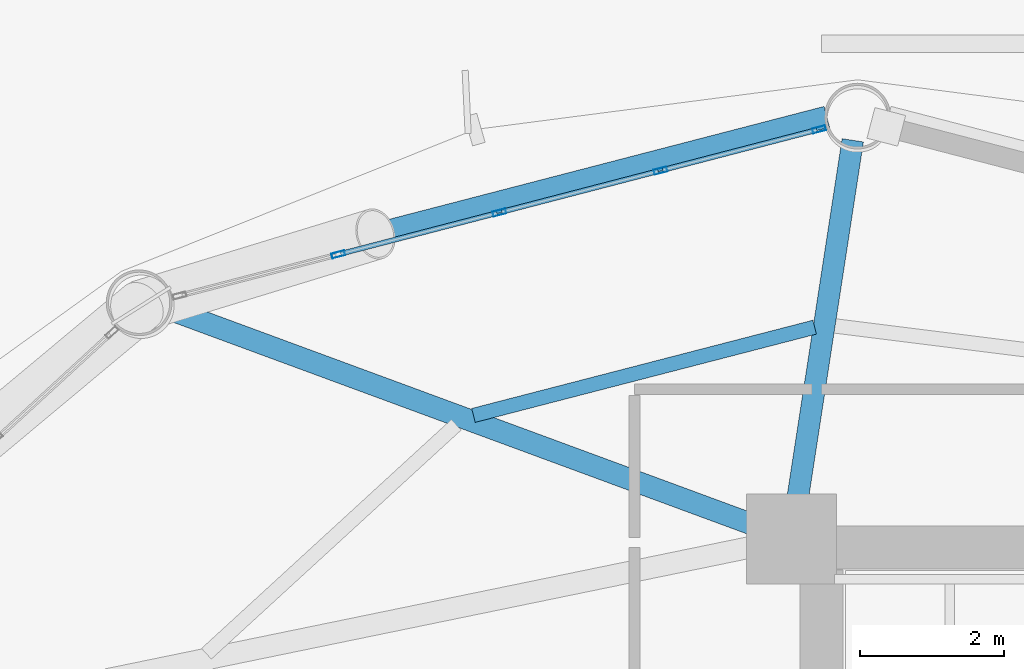
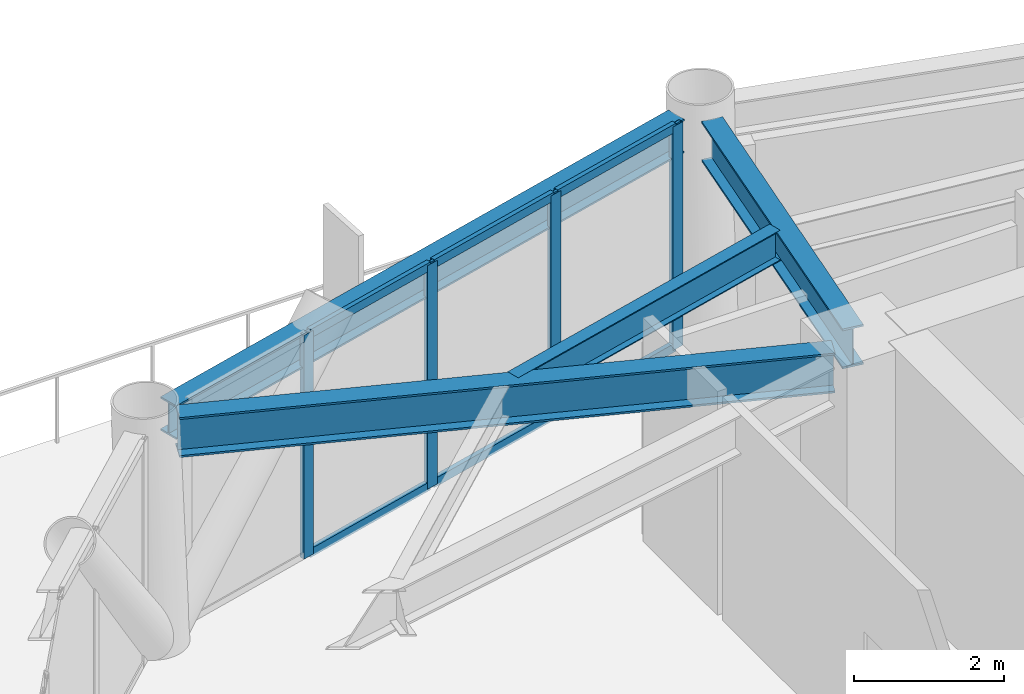
# One storey, part 16 of 24: 10 members, 4 beams, 1 element without a shape of its own.
"""IFC4 building model written with IfcOpenShell, lengths in metres."""

from ifc_helpers import new_model, si_unit, direction, frame, origin, origin_2d, place, context, subcontext, project, spatial, hollow_rectangle, i_section, extrude, material, layer, layer_set, material_profile, profile_set, type_object, element, aggregate, save


model = new_model("IFC4")

# Units and contexts
model_context = context("Model", 3, precision=1e-05, world=origin(), true_north=direction((0.0, 1.0)))
body_context = subcontext(model_context, "Body", "Model", "MODEL_VIEW")
ifc_project = project(units=[si_unit("LENGTHUNIT", "METRE"), si_unit("AREAUNIT", "SQUARE_METRE"), si_unit("VOLUMEUNIT", "CUBIC_METRE"), si_unit("PLANEANGLEUNIT", "RADIAN"), si_unit("MASSUNIT", "GRAM", prefix="KILO")], contexts=[model_context])

# Site, building, storey
site_placement = place(None, origin())
site = spatial("IfcSite", under=ifc_project, at=site_placement, CompositionType="ELEMENT")
building_placement = place(site_placement, origin())
building = spatial("IfcBuilding", under=site, at=building_placement, Name="Varnakorn Sky Granary", CompositionType="ELEMENT")
storey_placement = place(building_placement, frame((0.0, 0.0, 27.60009765625)))
storey = spatial("IfcBuildingStorey", under=building, at=storey_placement, Name="L06", CompositionType="ELEMENT", Elevation=27.60009765625)

# Beams
ifc_material_1 = material(Name="Steel S355JR", Category="steel")
ifc_material_profile_1 = material_profile(ifc_material_1, i_section(OverallWidth=0.300048828125, OverallDepth=0.64990234375, WebThickness=0.01611328125, FlangeThickness=0.031005859375, at=origin_2d()), Name="HE 650 B")
ifc_profile_set_1 = profile_set([ifc_material_profile_1], Name="Steel S355JR")
beam_type_1 = type_object("IfcBeamType", Name="BM-RAD-Z1", PredefinedType="BEAM", material=ifc_profile_set_1)
beam_1_placement = place(storey_placement, frame((-2.356201171875, 13.03515625, 3.31494140625), z_axis=(0.152152727627, 0.988356993943, 0.0), x_axis=(-0.988356993943, 0.152152727627, 0.0)))
element("IfcBeam", 1, at=beam_1_placement, inside=storey, type_object=beam_type_1, Name="Radial Floor Girder RG04 L06", PredefinedType="BEAM", context=body_context, shape_type="SweptSolid", body=[
    extrude(i_section(OverallWidth=0.300048828125, OverallDepth=0.64990234375, WebThickness=0.01611328125, FlangeThickness=0.031005859375, at=origin_2d()), origin(), (0.0, 0.0, 1.0), 5.184326171875),
])
beam_2_placement = place(storey_placement, frame((-2.814208984375, 12.765380859375, 3.31494140625), z_axis=(-0.938227938533, 0.3460178252, 0.0), x_axis=(-0.3460178252, -0.938227938533, 0.0)))
element("IfcBeam", 2, at=beam_2_placement, inside=storey, type_object=beam_type_1, Name="Radial Floor Girder RG05 L06", PredefinedType="BEAM", context=body_context, shape_type="SweptSolid", body=[
    extrude(i_section(OverallWidth=0.300048828125, OverallDepth=0.64990234375, WebThickness=0.01611328125, FlangeThickness=0.031005859375, at=origin_2d()), origin(), (0.0, 0.0, 1.0), 8.870361328125),
])
ifc_material_profile_2 = material_profile(ifc_material_1, i_section(OverallWidth=0.199951171875, OverallDepth=0.5, WebThickness=0.01025390625, FlangeThickness=0.01611328125, at=origin_2d()), Name="IPE 500")
ifc_profile_set_2 = profile_set([ifc_material_profile_2], Name="Steel S355JR")
beam_type_2 = type_object("IfcBeamType", Name="BM-SEC-Z1", PredefinedType="BEAM", material=ifc_profile_set_2)
beam_3_placement = place(storey_placement, frame((-2.09716796875, 15.56201171875, 3.389892578125), z_axis=(-0.968134412958, -0.250431145121, 0.0), x_axis=(0.250431145121, -0.968134412958, 0.0)))
element("IfcBeam", 3, at=beam_3_placement, inside=storey, type_object=beam_type_2, Name="Secondary Floor Chord Beam MSB04 L06", PredefinedType="BEAM", context=body_context, shape_type="SweptSolid", body=[
    extrude(i_section(OverallWidth=0.199951171875, OverallDepth=0.5, WebThickness=0.01025390625, FlangeThickness=0.01611328125, at=origin_2d()), origin(), (0.0, 0.0, 1.0), 4.898681640625),
])
ifc_material_profile_3 = material_profile(ifc_material_1, i_section(OverallWidth=0.300048828125, OverallDepth=0.550048828125, WebThickness=0.014892578125, FlangeThickness=0.029052734375, at=origin_2d()), Name="HE 550 B")
ifc_profile_set_3 = profile_set([ifc_material_profile_3], Name="Steel S355JR")
beam_type_3 = type_object("IfcBeamType", Name="BM-SPD-Z1", PredefinedType="SPANDREL", material=ifc_profile_set_3)
beam_4_placement = place(storey_placement, frame((-1.927734375, 18.485107421875, 3.364990234375), z_axis=(-0.967937681729, -0.251190454215, 0.0), x_axis=(0.251190454215, -0.967937681729, 0.0)))
element("IfcBeam", 4, at=beam_4_placement, inside=storey, type_object=beam_type_3, Name="Perimeter Spandrel Ring Beam RB04 L06", PredefinedType="SPANDREL", context=body_context, shape_type="SweptSolid", body=[
    extrude(i_section(OverallWidth=0.300048828125, OverallDepth=0.550048828125, WebThickness=0.014892578125, FlangeThickness=0.029052734375, at=origin_2d()), origin(), (0.0, 0.0, 1.0), 9.500732421875),
])

# Curtain wall, members
ifc_material_2 = material(Name="Anodised Bronze Aluminium Alloy 6063-T6", Category="aluminium")
ifc_layer = layer(ifc_material_2, 0.18994140625, Name="Anodised Bronze Aluminium Alloy 6063-T6")
ifc_layer_set = layer_set([ifc_layer], Name="Anodised Bronze Aluminium Alloy 6063-T6")
curtain_wall_type = type_object("IfcCurtainWallType", Name="CW-FRM-1", PredefinedType="USERDEFINED", material=ifc_layer_set)
curtain_wall_placement = place(storey_placement, origin())
curtain_wall = element("IfcCurtainWall", 5, at=curtain_wall_placement, inside=storey, type_object=curtain_wall_type, Name="Unitised Curtain Wall CW3 CW-L06-B04", ObjectType="CURTAIN WALL", PredefinedType="USERDEFINED")
ifc_material_profile_4 = material_profile(ifc_material_2, hollow_rectangle(XDim=0.070068359375, YDim=0.18505859375, WallThickness=0.00390625, at=origin_2d()), Name="ALU MULL 70x185")
ifc_profile_set_4 = profile_set([ifc_material_profile_4], Name="Anodised Bronze Aluminium Alloy 6063-T6")
member_type_1 = type_object("IfcMemberType", Name="CW-FRM-1-MULL", PredefinedType="MULLION", material=ifc_profile_set_4)
member_1_placement = place(storey_placement, frame((-8.718017578125, 16.573486328125, 0.0), z_axis=(0.0, 0.0, 1.0), x_axis=(-0.251609357822, 0.967828874883, 0.0)))
member_1 = element("IfcMember", 6, at=member_1_placement, type_object=member_type_1, Name="CW3 mullion 2", PredefinedType="MULLION", context=body_context, shape_type="SweptSolid", body=[
    extrude(hollow_rectangle(XDim=0.070068359375, YDim=0.18505859375, WallThickness=0.00390625, at=origin_2d()), origin(), (0.0, 0.0, 1.0), 3.639892578125),
])
member_2_placement = place(storey_placement, frame((-6.478759765625, 17.15576171875, 0.0), z_axis=(0.0, 0.0, 1.0), x_axis=(-0.251609357822, 0.967828874883, 0.0)))
member_2 = element("IfcMember", 7, at=member_2_placement, type_object=member_type_1, Name="CW3 mullion 3", PredefinedType="MULLION", context=body_context, shape_type="SweptSolid", body=[
    extrude(hollow_rectangle(XDim=0.070068359375, YDim=0.18505859375, WallThickness=0.00390625, at=origin_2d()), origin(), (0.0, 0.0, 1.0), 3.639892578125),
])
member_3_placement = place(storey_placement, frame((-4.239501953125, 17.73779296875, 0.0), z_axis=(0.0, 0.0, 1.0), x_axis=(-0.251609357822, 0.967828874883, 0.0)))
member_3 = element("IfcMember", 8, at=member_3_placement, type_object=member_type_1, Name="CW3 mullion 4", PredefinedType="MULLION", context=body_context, shape_type="SweptSolid", body=[
    extrude(hollow_rectangle(XDim=0.070068359375, YDim=0.18505859375, WallThickness=0.00390625, at=origin_2d()), origin(), (0.0, 0.0, 1.0), 3.639892578125),
])
member_4_placement = place(storey_placement, frame((-2.0341796875, 18.31103515625, 0.0), z_axis=(0.0, 0.0, 1.0), x_axis=(-0.251609357822, 0.967828874883, 0.0)))
member_4 = element("IfcMember", 9, at=member_4_placement, type_object=member_type_1, Name="CW3 mullion 5", PredefinedType="MULLION", context=body_context, shape_type="SweptSolid", body=[
    extrude(hollow_rectangle(XDim=0.070068359375, YDim=0.18505859375, WallThickness=0.00390625, at=origin_2d()), origin(), (0.0, 0.0, 1.0), 3.639892578125),
])
ifc_material_profile_5 = material_profile(ifc_material_2, hollow_rectangle(XDim=0.070068359375, YDim=0.139892578125, WallThickness=0.00341796875, at=origin_2d()), Name="ALU TRAN 70x140")
ifc_profile_set_5 = profile_set([ifc_material_profile_5], Name="Anodised Bronze Aluminium Alloy 6063-T6")
member_type_2 = type_object("IfcMemberType", Name="CW-FRM-1-TRAN", PredefinedType="USERDEFINED", material=ifc_profile_set_5)
member_5_placement = place(storey_placement, frame((-8.68408203125, 16.582275390625, 0.034912109375), z_axis=(0.96783416636, 0.251589002993, 0.0), x_axis=(-0.251589002993, 0.96783416636, 0.0)))
member_5 = element("IfcMember", 10, at=member_5_placement, type_object=member_type_2, Name="CW3 transom 2.1", ObjectType="TRANSOM", PredefinedType="USERDEFINED", context=body_context, shape_type="SweptSolid", body=[
    extrude(hollow_rectangle(XDim=0.070068359375, YDim=0.139892578125, WallThickness=0.00341796875, at=origin_2d()), origin(), (0.0, 0.0, 1.0), 2.24365234375),
])
member_6_placement = place(storey_placement, frame((-8.68408203125, 16.582275390625, 3.60498046875), z_axis=(0.96783416636, 0.251589002993, 0.0), x_axis=(-0.251589002993, 0.96783416636, 0.0)))
member_6 = element("IfcMember", 11, at=member_6_placement, type_object=member_type_2, Name="CW3 transom 2.2", ObjectType="TRANSOM", PredefinedType="USERDEFINED", context=body_context, shape_type="SweptSolid", body=[
    extrude(hollow_rectangle(XDim=0.070068359375, YDim=0.139892578125, WallThickness=0.00341796875, at=origin_2d()), origin(), (0.0, 0.0, 1.0), 2.24365234375),
])
member_7_placement = place(storey_placement, frame((-6.44482421875, 17.16455078125, 0.034912109375), z_axis=(0.96783416636, 0.251589002993, 0.0), x_axis=(-0.251589002993, 0.96783416636, 0.0)))
member_7 = element("IfcMember", 12, at=member_7_placement, type_object=member_type_2, Name="CW3 transom 3.1", ObjectType="TRANSOM", PredefinedType="USERDEFINED", context=body_context, shape_type="SweptSolid", body=[
    extrude(hollow_rectangle(XDim=0.070068359375, YDim=0.139892578125, WallThickness=0.00341796875, at=origin_2d()), origin(), (0.0, 0.0, 1.0), 2.24365234375),
])
member_8_placement = place(storey_placement, frame((-6.44482421875, 17.16455078125, 3.60498046875), z_axis=(0.96783416636, 0.251589002993, 0.0), x_axis=(-0.251589002993, 0.96783416636, 0.0)))
member_8 = element("IfcMember", 13, at=member_8_placement, type_object=member_type_2, Name="CW3 transom 3.2", ObjectType="TRANSOM", PredefinedType="USERDEFINED", context=body_context, shape_type="SweptSolid", body=[
    extrude(hollow_rectangle(XDim=0.070068359375, YDim=0.139892578125, WallThickness=0.00341796875, at=origin_2d()), origin(), (0.0, 0.0, 1.0), 2.24365234375),
])
member_9_placement = place(storey_placement, frame((-4.205810546875, 17.74658203125, 0.034912109375), z_axis=(0.967837579781, 0.251575871583, 0.0), x_axis=(-0.251575871583, 0.967837579781, 0.0)))
member_9 = element("IfcMember", 14, at=member_9_placement, type_object=member_type_2, Name="CW3 transom 4.1", ObjectType="TRANSOM", PredefinedType="USERDEFINED", context=body_context, shape_type="SweptSolid", body=[
    extrude(hollow_rectangle(XDim=0.070068359375, YDim=0.139892578125, WallThickness=0.00341796875, at=origin_2d()), origin(), (0.0, 0.0, 1.0), 2.208740234375),
])
member_10_placement = place(storey_placement, frame((-4.205810546875, 17.74658203125, 3.60498046875), z_axis=(0.967837579781, 0.251575871583, 0.0), x_axis=(-0.251575871583, 0.967837579781, 0.0)))
member_10 = element("IfcMember", 15, at=member_10_placement, type_object=member_type_2, Name="CW3 transom 4.2", ObjectType="TRANSOM", PredefinedType="USERDEFINED", context=body_context, shape_type="SweptSolid", body=[
    extrude(hollow_rectangle(XDim=0.070068359375, YDim=0.139892578125, WallThickness=0.00341796875, at=origin_2d()), origin(), (0.0, 0.0, 1.0), 2.208740234375),
])
aggregate(curtain_wall, [member_1, member_2, member_3, member_4, member_5, member_6, member_7, member_8, member_9, member_10])

save(model, "model.ifc")
